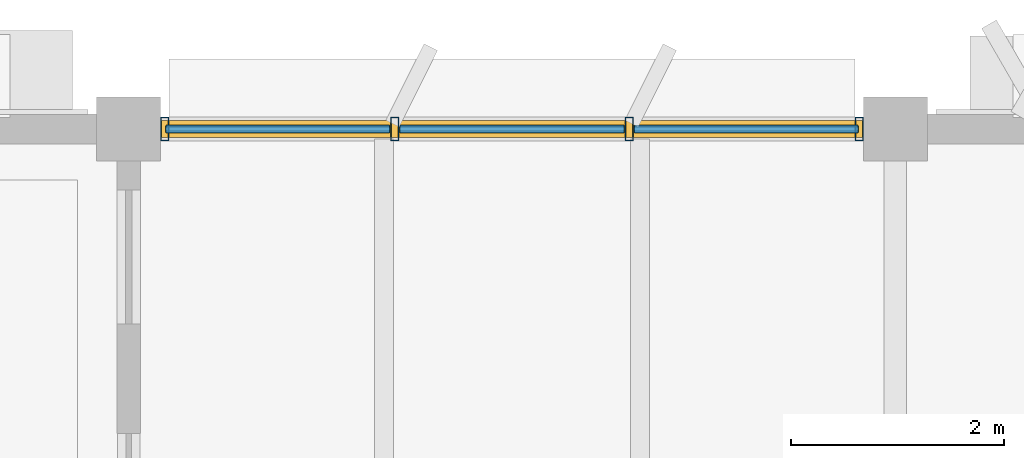
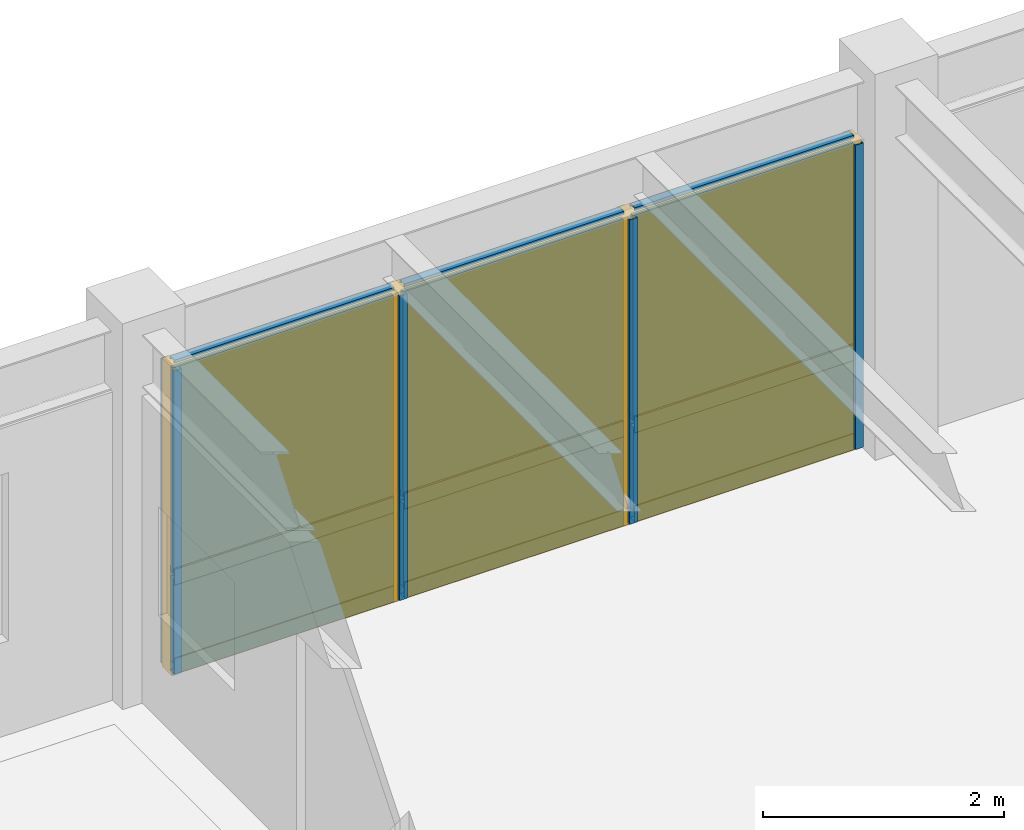
# One storey, part 59 of 82: 13 members, 6 plates, 1 curtain wall.
"""IFC4 building model written with IfcOpenShell, lengths in metres."""

from ifc_helpers import new_model, si_unit, direction, frame, origin, origin_2d, place, context, subcontext, project, spatial, rectangle, hollow_rectangle, extrude, material, layer, layer_set, material_profile, profile_set, type_object, element, aggregate, save


model = new_model("IFC4")

# Units and contexts
model_context = context("Model", 3, precision=1e-05, world=origin(), true_north=direction((0.0, 1.0)))
body_context = subcontext(model_context, "Body", "Model", "MODEL_VIEW")
ifc_project = project(units=[si_unit("LENGTHUNIT", "METRE"), si_unit("AREAUNIT", "SQUARE_METRE"), si_unit("VOLUMEUNIT", "CUBIC_METRE"), si_unit("PLANEANGLEUNIT", "RADIAN"), si_unit("MASSUNIT", "GRAM", prefix="KILO")], contexts=[model_context])

# Member
ifc_material_1 = material(Name="Anodized Aluminium 6063-T6", Category="aluminium")
ifc_material_profile_1 = material_profile(ifc_material_1, hollow_rectangle(XDim=0.074951171875, YDim=0.219970703125, WallThickness=0.0048828125, at=origin_2d()), Name="ALU 75x220x5")
ifc_profile_set_1 = profile_set([ifc_material_profile_1], Name="Anodized Aluminium 6063-T6")
member_type_1 = type_object("IfcMemberType", Name="CWM-75X180", PredefinedType="MULLION", material=ifc_profile_set_1)
site_placement = place(None, origin())
building_placement = place(site_placement, origin())
storey_placement = place(building_placement, frame((0.0, 0.0, 14.10009765625)))
member_1_placement = place(storey_placement, frame((50.739990234375, 115.199951171875, 0.02001953125), z_axis=(0.0, 0.0, 1.0), x_axis=(1.0, 0.0, 0.0)))
member_1 = element("IfcMember", 1, at=member_1_placement, type_object=member_type_1, Name="Curtain wall mullion CW-L04-07-15-N-00", PredefinedType="MULLION", context=body_context, shape_type="SweptSolid", body=[
    extrude(hollow_rectangle(XDim=0.074951171875, YDim=0.219970703125, WallThickness=0.0048828125, at=origin_2d()), origin(), (0.0, 0.0, 1.0), 3.077880859375),
])

member_2_placement = place(storey_placement, frame((52.89990234375, 115.199951171875, 0.02001953125), z_axis=(0.0, 0.0, 1.0), x_axis=(1.0, 0.0, 0.0)))
member_2 = element("IfcMember", 2, at=member_2_placement, type_object=member_type_1, Name="Curtain wall mullion CW-L04-07-15-N-01", PredefinedType="MULLION", context=body_context, shape_type="SweptSolid", body=[
    extrude(hollow_rectangle(XDim=0.074951171875, YDim=0.219970703125, WallThickness=0.0048828125, at=origin_2d()), origin(), (0.0, 0.0, 1.0), 3.077880859375),
])

member_3_placement = place(storey_placement, frame((55.10009765625, 115.199951171875, 0.02001953125), z_axis=(0.0, 0.0, 1.0), x_axis=(1.0, 0.0, 0.0)))
member_3 = element("IfcMember", 3, at=member_3_placement, type_object=member_type_1, Name="Curtain wall mullion CW-L04-07-15-N-02", PredefinedType="MULLION", context=body_context, shape_type="SweptSolid", body=[
    extrude(hollow_rectangle(XDim=0.074951171875, YDim=0.219970703125, WallThickness=0.0048828125, at=origin_2d()), origin(), (0.0, 0.0, 1.0), 3.077880859375),
])

member_4_placement = place(storey_placement, frame((57.260009765625, 115.199951171875, 0.02001953125), z_axis=(0.0, 0.0, 1.0), x_axis=(1.0, 0.0, 0.0)))
member_4 = element("IfcMember", 4, at=member_4_placement, type_object=member_type_1, Name="Curtain wall mullion CW-L04-07-15-N-03", PredefinedType="MULLION", context=body_context, shape_type="SweptSolid", body=[
    extrude(hollow_rectangle(XDim=0.074951171875, YDim=0.219970703125, WallThickness=0.0048828125, at=origin_2d()), origin(), (0.0, 0.0, 1.0), 3.077880859375),
])

ifc_material_profile_2 = material_profile(ifc_material_1, hollow_rectangle(XDim=0.074951171875, YDim=0.159912109375, WallThickness=0.00390625, at=origin_2d()), Name="ALU 75x160x4")
ifc_profile_set_2 = profile_set([ifc_material_profile_2], Name="Anodized Aluminium 6063-T6")
member_type_2 = type_object("IfcMemberType", Name="CWT-75X150", PredefinedType="USERDEFINED", material=ifc_profile_set_2)
member_5_placement = place(storey_placement, frame((50.75, 115.199951171875, 0.0498046875), z_axis=(1.0, 0.0, 0.0), x_axis=(0.0, 1.0, 0.0)))
member_5 = element("IfcMember", 5, at=member_5_placement, type_object=member_type_2, Name="Curtain wall transom CW-L04-07-15-N-1.01", ObjectType="TRANSOM", PredefinedType="USERDEFINED", context=body_context, shape_type="SweptSolid", body=[
    extrude(hollow_rectangle(XDim=0.074951171875, YDim=0.159912109375, WallThickness=0.00390625, at=origin_2d()), origin(), (0.0, 0.0, 1.0), 2.10009765625),
])

member_6_placement = place(storey_placement, frame((52.949951171875, 115.199951171875, 0.0498046875), z_axis=(1.0, 0.0, 0.0), x_axis=(0.0, 1.0, 0.0)))
member_6 = element("IfcMember", 6, at=member_6_placement, type_object=member_type_2, Name="Curtain wall transom CW-L04-07-15-N-1.02", ObjectType="TRANSOM", PredefinedType="USERDEFINED", context=body_context, shape_type="SweptSolid", body=[
    extrude(hollow_rectangle(XDim=0.074951171875, YDim=0.159912109375, WallThickness=0.00390625, at=origin_2d()), origin(), (0.0, 0.0, 1.0), 2.10009765625),
])

member_7_placement = place(storey_placement, frame((55.14990234375, 115.199951171875, 0.0498046875), z_axis=(1.0, 0.0, 0.0), x_axis=(0.0, 1.0, 0.0)))
member_7 = element("IfcMember", 7, at=member_7_placement, type_object=member_type_2, Name="Curtain wall transom CW-L04-07-15-N-1.03", ObjectType="TRANSOM", PredefinedType="USERDEFINED", context=body_context, shape_type="SweptSolid", body=[
    extrude(hollow_rectangle(XDim=0.074951171875, YDim=0.159912109375, WallThickness=0.00390625, at=origin_2d()), origin(), (0.0, 0.0, 1.0), 2.10009765625),
])

member_8_placement = place(storey_placement, frame((50.75, 115.199951171875, 0.949951171875), z_axis=(1.0, 0.0, 0.0), x_axis=(0.0, 1.0, 0.0)))
member_8 = element("IfcMember", 8, at=member_8_placement, type_object=member_type_2, Name="Curtain wall transom CW-L04-07-15-N-2.01", ObjectType="TRANSOM", PredefinedType="USERDEFINED", context=body_context, shape_type="SweptSolid", body=[
    extrude(hollow_rectangle(XDim=0.074951171875, YDim=0.159912109375, WallThickness=0.00390625, at=origin_2d()), origin(), (0.0, 0.0, 1.0), 2.10009765625),
])

member_9_placement = place(storey_placement, frame((52.949951171875, 115.199951171875, 0.949951171875), z_axis=(1.0, 0.0, 0.0), x_axis=(0.0, 1.0, 0.0)))
member_9 = element("IfcMember", 9, at=member_9_placement, type_object=member_type_2, Name="Curtain wall transom CW-L04-07-15-N-2.02", ObjectType="TRANSOM", PredefinedType="USERDEFINED", context=body_context, shape_type="SweptSolid", body=[
    extrude(hollow_rectangle(XDim=0.074951171875, YDim=0.159912109375, WallThickness=0.00390625, at=origin_2d()), origin(), (0.0, 0.0, 1.0), 2.10009765625),
])

member_10_placement = place(storey_placement, frame((55.14990234375, 115.199951171875, 0.949951171875), z_axis=(1.0, 0.0, 0.0), x_axis=(0.0, 1.0, 0.0)))
member_10 = element("IfcMember", 10, at=member_10_placement, type_object=member_type_2, Name="Curtain wall transom CW-L04-07-15-N-2.03", ObjectType="TRANSOM", PredefinedType="USERDEFINED", context=body_context, shape_type="SweptSolid", body=[
    extrude(hollow_rectangle(XDim=0.074951171875, YDim=0.159912109375, WallThickness=0.00390625, at=origin_2d()), origin(), (0.0, 0.0, 1.0), 2.10009765625),
])

member_11_placement = place(storey_placement, frame((50.75, 115.199951171875, 3.06787109375), z_axis=(1.0, 0.0, 0.0), x_axis=(0.0, 1.0, 0.0)))
member_11 = element("IfcMember", 11, at=member_11_placement, type_object=member_type_2, Name="Curtain wall transom CW-L04-07-15-N-3.01", ObjectType="TRANSOM", PredefinedType="USERDEFINED", context=body_context, shape_type="SweptSolid", body=[
    extrude(hollow_rectangle(XDim=0.074951171875, YDim=0.159912109375, WallThickness=0.00390625, at=origin_2d()), origin(), (0.0, 0.0, 1.0), 2.10009765625),
])

member_12_placement = place(storey_placement, frame((52.949951171875, 115.199951171875, 3.06787109375), z_axis=(1.0, 0.0, 0.0), x_axis=(0.0, 1.0, 0.0)))
member_12 = element("IfcMember", 12, at=member_12_placement, type_object=member_type_2, Name="Curtain wall transom CW-L04-07-15-N-3.02", ObjectType="TRANSOM", PredefinedType="USERDEFINED", context=body_context, shape_type="SweptSolid", body=[
    extrude(hollow_rectangle(XDim=0.074951171875, YDim=0.159912109375, WallThickness=0.00390625, at=origin_2d()), origin(), (0.0, 0.0, 1.0), 2.10009765625),
])

member_13_placement = place(storey_placement, frame((55.14990234375, 115.199951171875, 3.06787109375), z_axis=(1.0, 0.0, 0.0), x_axis=(0.0, 1.0, 0.0)))
member_13 = element("IfcMember", 13, at=member_13_placement, type_object=member_type_2, Name="Curtain wall transom CW-L04-07-15-N-3.03", ObjectType="TRANSOM", PredefinedType="USERDEFINED", context=body_context, shape_type="SweptSolid", body=[
    extrude(hollow_rectangle(XDim=0.074951171875, YDim=0.159912109375, WallThickness=0.00390625, at=origin_2d()), origin(), (0.0, 0.0, 1.0), 2.10009765625),
])

# Plate
ifc_material_2 = material(Name="Acoustic Laminated Low-E Glazing", Category="glass")
ifc_layer_1 = layer(ifc_material_2, 0.0439453125)
ifc_layer_set_1 = layer_set([ifc_layer_1], Name="Acoustic Laminated Low-E Glazing")
plate_type_1 = type_object("IfcPlateType", Name="CWP-IGU-44", PredefinedType="CURTAIN_PANEL", material=ifc_layer_set_1)
plate_1_placement = place(storey_placement, frame((51.800048828125, 115.199951171875, 0.98974609375), z_axis=(0.0, 0.0, 1.0), x_axis=(1.0, 0.0, 0.0)))
plate_1 = element("IfcPlate", 14, at=plate_1_placement, type_object=plate_type_1, Name="Curtain wall vision glazing CW-L04-07-15-N-01", PredefinedType="CURTAIN_PANEL", context=body_context, shape_type="SweptSolid", body=[
    extrude(rectangle(XDim=2.110107421875, YDim=0.0400390625, at=origin_2d()), origin(), (0.0, 0.0, 1.0), 2.068115234375),
])

plate_2_placement = place(storey_placement, frame((54.0, 115.199951171875, 0.98974609375), z_axis=(0.0, 0.0, 1.0), x_axis=(1.0, 0.0, 0.0)))
plate_2 = element("IfcPlate", 15, at=plate_2_placement, type_object=plate_type_1, Name="Curtain wall vision glazing CW-L04-07-15-N-02", PredefinedType="CURTAIN_PANEL", context=body_context, shape_type="SweptSolid", body=[
    extrude(rectangle(XDim=2.110107421875, YDim=0.0400390625, at=origin_2d()), origin(), (0.0, 0.0, 1.0), 2.068115234375),
])

plate_3_placement = place(storey_placement, frame((56.199951171875, 115.199951171875, 0.98974609375), z_axis=(0.0, 0.0, 1.0), x_axis=(1.0, 0.0, 0.0)))
plate_3 = element("IfcPlate", 16, at=plate_3_placement, type_object=plate_type_1, Name="Curtain wall vision glazing CW-L04-07-15-N-03", PredefinedType="CURTAIN_PANEL", context=body_context, shape_type="SweptSolid", body=[
    extrude(rectangle(XDim=2.110107421875, YDim=0.0400390625, at=origin_2d()), origin(), (0.0, 0.0, 1.0), 2.068115234375),
])

ifc_material_3 = material(Name="Insulated Stone-Composite Spandrel", Category="masonry")
ifc_layer_2 = layer(ifc_material_3, 0.068115234375)
ifc_layer_set_2 = layer_set([ifc_layer_2], Name="Insulated Stone-Composite Spandrel")
plate_type_2 = type_object("IfcPlateType", Name="CWP-SPN-68", PredefinedType="CURTAIN_PANEL", material=ifc_layer_set_2)
plate_4_placement = place(storey_placement, frame((51.800048828125, 115.199951171875, 0.080078125), z_axis=(0.0, 0.0, 1.0), x_axis=(1.0, 0.0, 0.0)))
plate_4 = element("IfcPlate", 17, at=plate_4_placement, type_object=plate_type_2, Name="Curtain wall spandrel panel CW-L04-07-15-N-01", PredefinedType="CURTAIN_PANEL", context=body_context, shape_type="SweptSolid", body=[
    extrude(rectangle(XDim=2.110107421875, YDim=0.06005859375, at=origin_2d()), origin(), (0.0, 0.0, 1.0), 0.840087890625),
])

plate_5_placement = place(storey_placement, frame((54.0, 115.199951171875, 0.080078125), z_axis=(0.0, 0.0, 1.0), x_axis=(1.0, 0.0, 0.0)))
plate_5 = element("IfcPlate", 18, at=plate_5_placement, type_object=plate_type_2, Name="Curtain wall spandrel panel CW-L04-07-15-N-02", PredefinedType="CURTAIN_PANEL", context=body_context, shape_type="SweptSolid", body=[
    extrude(rectangle(XDim=2.110107421875, YDim=0.06005859375, at=origin_2d()), origin(), (0.0, 0.0, 1.0), 0.840087890625),
])

plate_6_placement = place(storey_placement, frame((56.199951171875, 115.199951171875, 0.080078125), z_axis=(0.0, 0.0, 1.0), x_axis=(1.0, 0.0, 0.0)))
plate_6 = element("IfcPlate", 19, at=plate_6_placement, type_object=plate_type_2, Name="Curtain wall spandrel panel CW-L04-07-15-N-03", PredefinedType="CURTAIN_PANEL", context=body_context, shape_type="SweptSolid", body=[
    extrude(rectangle(XDim=2.110107421875, YDim=0.06005859375, at=origin_2d()), origin(), (0.0, 0.0, 1.0), 0.840087890625),
])

# Site, building, storey
site = spatial("IfcSite", under=ifc_project, at=site_placement, CompositionType="ELEMENT")
building = spatial("IfcBuilding", under=site, at=building_placement, Name="Sillqori Civic Hall", CompositionType="ELEMENT")
storey = spatial("IfcBuildingStorey", under=building, at=storey_placement, Name="L04", CompositionType="ELEMENT", Elevation=14.10009765625)

# Curtain wall
ifc_material_4 = material(Name="Anodized Aluminium Curtain Wall System", Category="aluminium")
curtain_wall_type = type_object("IfcCurtainWallType", Name="CW-AD-370", PredefinedType="NOTDEFINED", material=ifc_material_4)
curtain_wall_placement = place(storey_placement, frame((54.0, 115.199951171875, 0.0), z_axis=(0.0, 0.0, 1.0), x_axis=(1.0, 0.0, 0.0)))
curtain_wall = element("IfcCurtainWall", 20, at=curtain_wall_placement, inside=storey, type_object=curtain_wall_type, Name="L04 unitised curtain wall CW-L04-07-15-N", PredefinedType="NOTDEFINED", context=body_context, shape_type="SweptSolid", body=[
    extrude(rectangle(XDim=6.60009765625, YDim=0.159912109375, at=origin_2d()), origin(), (0.0, 0.0, 1.0), 3.117919921875),
])

aggregate(curtain_wall, [member_1, member_2, member_3, member_4, member_5, member_6, member_7, member_8, member_9, member_10, member_11, member_12, member_13, plate_4, plate_1, plate_5, plate_2, plate_6, plate_3])

save(model, "model.ifc")
